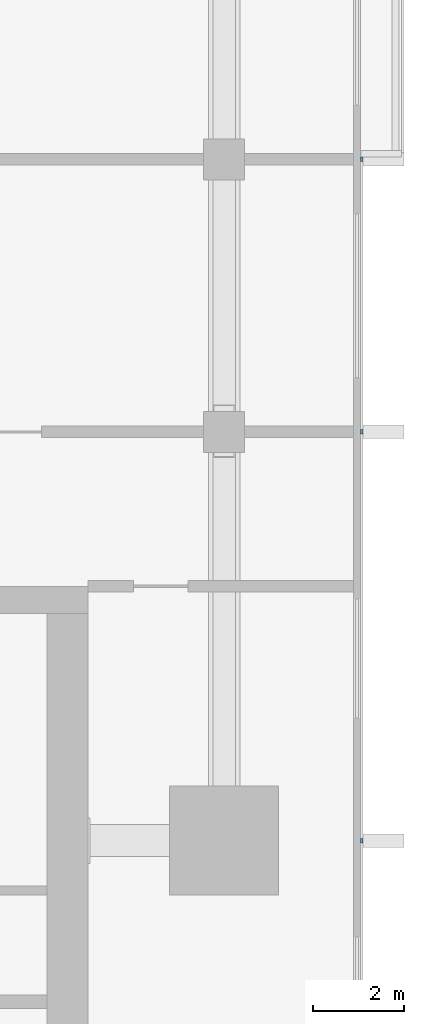
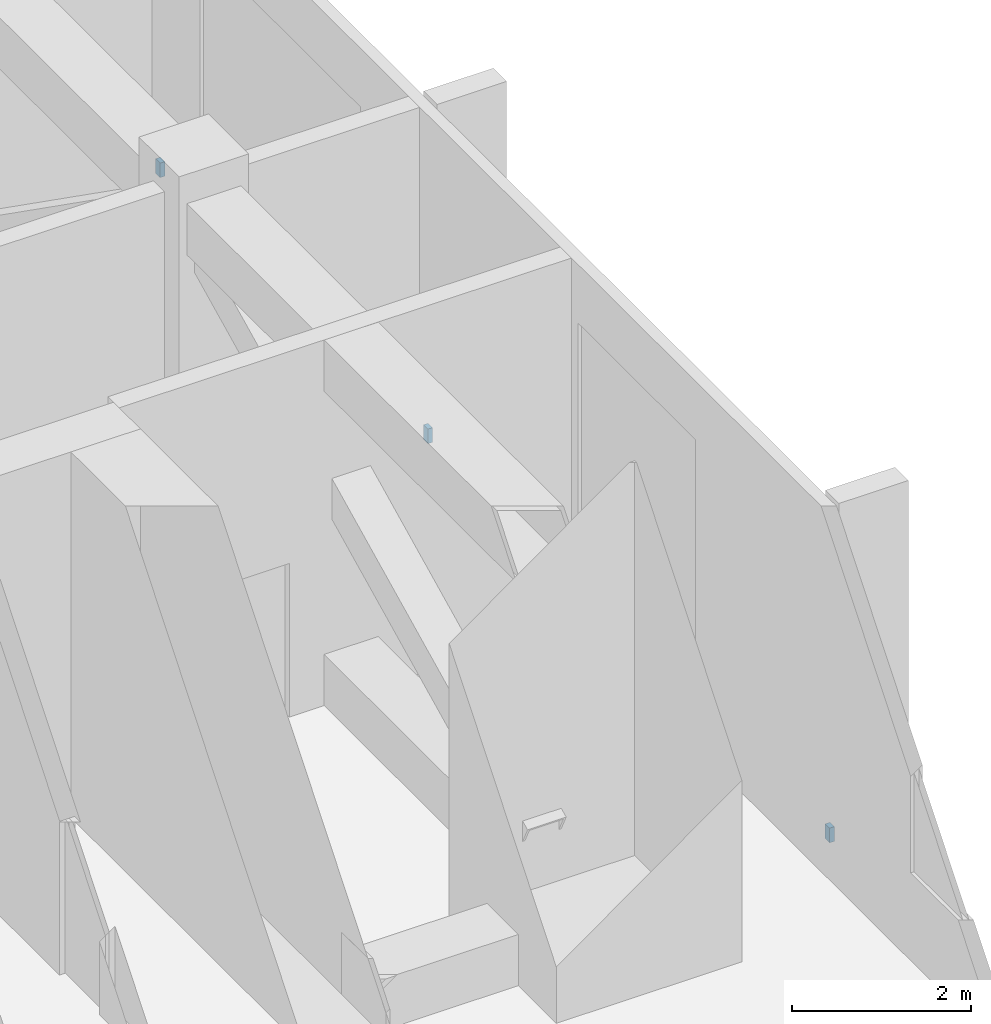
# One storey, part 7 of 11: 3 discrete accessories.
"""IFC4 building model written with IfcOpenShell, lengths in metres."""

from ifc_helpers import new_model, si_unit, direction, frame, origin, origin_2d, place, context, subcontext, project, spatial, rectangle, extrude, material, type_object, element, save


model = new_model("IFC4")

# Units and contexts
model_context = context("Model", 3, precision=1e-05, world=origin(), true_north=direction((0.0, 1.0)))
body_context = subcontext(model_context, "Body", "Model", "MODEL_VIEW")
ifc_project = project(units=[si_unit("LENGTHUNIT", "METRE"), si_unit("AREAUNIT", "SQUARE_METRE"), si_unit("VOLUMEUNIT", "CUBIC_METRE"), si_unit("PLANEANGLEUNIT", "RADIAN"), si_unit("MASSUNIT", "GRAM", prefix="KILO")], contexts=[model_context])

# Site, building, storey
site_placement = place(None, origin())
site = spatial("IfcSite", under=ifc_project, at=site_placement, CompositionType="ELEMENT")
building_placement = place(site_placement, origin())
building = spatial("IfcBuilding", under=site, at=building_placement, Name="Finial Court Residences", CompositionType="ELEMENT")
storey_placement = place(building_placement, frame((0.0, 0.0, 199.699951171875)))
storey = spatial("IfcBuildingStorey", under=building, at=storey_placement, Name="L50", CompositionType="ELEMENT", Elevation=199.699951171875)

# Discrete accessories
ifc_material = material(Name="Stainless steel 316", Category="steel")
discrete_accessory_type = type_object("IfcDiscreteAccessoryType", Name="Fin bracket, stainless steel 100 x 60 x 200", PredefinedType="BRACKET", material=ifc_material)
for number, where, z_axis, x_axis, name in (
    (1, (19.530029296875, -13.5, 0.30029296875), (0.0, 0.0, 1.0), (1.0, 0.0, 0.0), "E-L50-FIN-E8-BRK"),
    (2, (19.530029296875, -4.5, 0.30029296875), (0.0, 0.0, 1.0), (1.0, 0.0, 0.0), "E-L50-FIN-E9-BRK"),
    (3, (19.530029296875, 1.5, 0.30029296875), (0.0, 0.0, 1.0), (1.0, 0.0, 0.0), "E-L50-FIN-E10-BRK"),
):
    element("IfcDiscreteAccessory", number, at=place(storey_placement, frame(where, z_axis=z_axis, x_axis=x_axis)), inside=storey, type_object=discrete_accessory_type, Name=name, PredefinedType="BRACKET", context=body_context, shape_type="SweptSolid", body=[
        extrude(rectangle(XDim=0.06005859375, YDim=0.10009765625, at=origin_2d()), origin(), (0.0, 0.0, 1.0), 0.199951171875),
    ])

save(model, "model.ifc")
